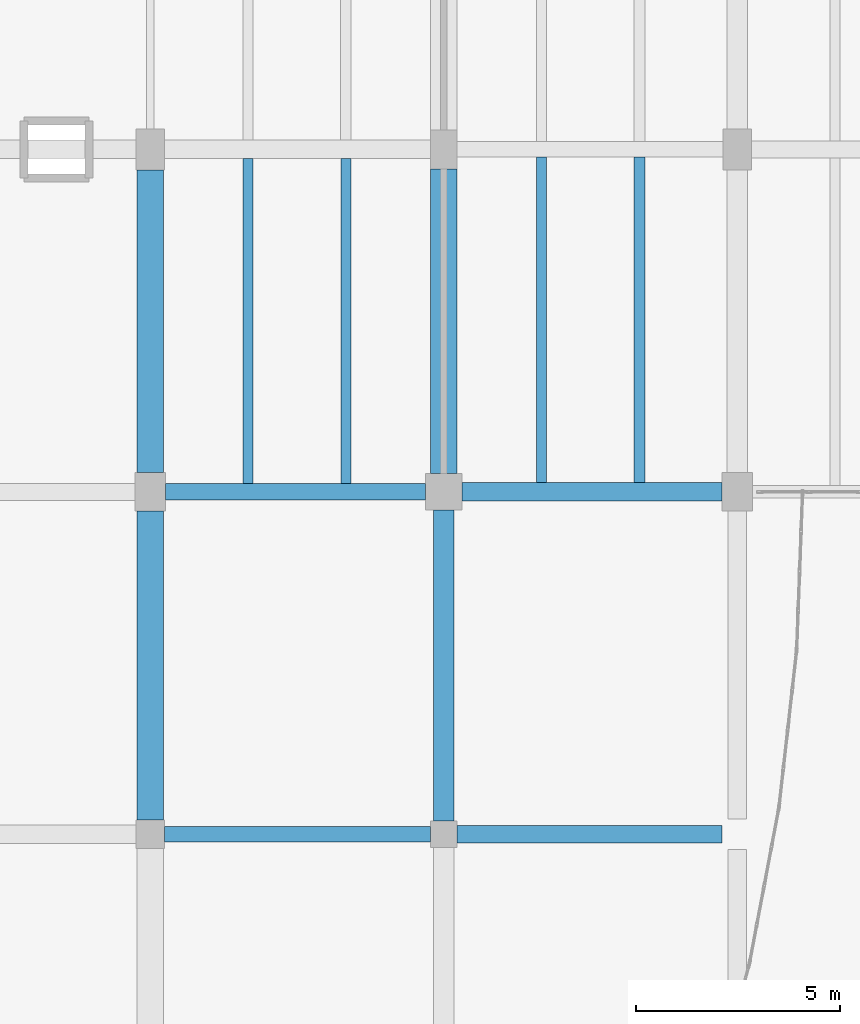
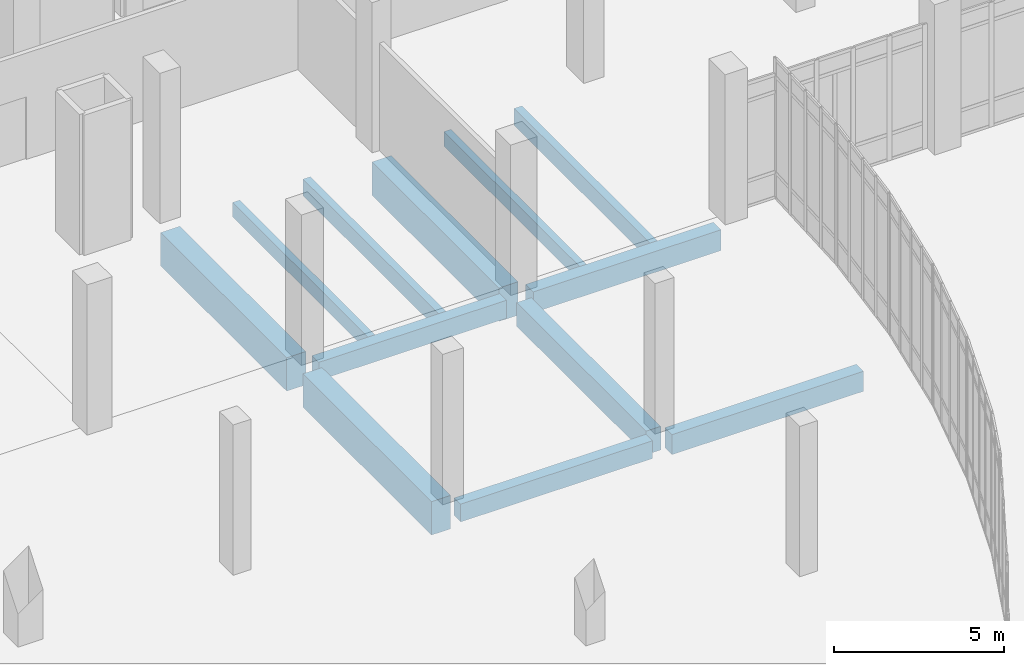
# One storey, part 48 of 110: 12 beams.
"""IFC4 building model written with IfcOpenShell, lengths in metres."""

from ifc_helpers import new_model, si_unit, direction, frame, origin, origin_2d, place, context, subcontext, project, spatial, rectangle, extrude, material, material_profile, profile_set, type_object, element, save


model = new_model("IFC4")

# Units and contexts
model_context = context("Model", 3, precision=1e-05, world=origin(), true_north=direction((0.0, 1.0)))
body_context = subcontext(model_context, "Body", "Model", "MODEL_VIEW")
ifc_project = project(units=[si_unit("LENGTHUNIT", "METRE"), si_unit("AREAUNIT", "SQUARE_METRE"), si_unit("VOLUMEUNIT", "CUBIC_METRE"), si_unit("PLANEANGLEUNIT", "RADIAN"), si_unit("MASSUNIT", "GRAM", prefix="KILO")], contexts=[model_context])

# Site, building, storey
site_placement = place(None, origin())
site = spatial("IfcSite", under=ifc_project, at=site_placement, CompositionType="ELEMENT")
building_placement = place(site_placement, origin())
building = spatial("IfcBuilding", under=site, at=building_placement, Name="Kalluvel Institute of Natural Sciences", CompositionType="ELEMENT")
storey_placement = place(building_placement, origin())
storey = spatial("IfcBuildingStorey", under=building, at=storey_placement, Name="L00", CompositionType="ELEMENT", Elevation=0.0)

# Beams
ifc_material_1 = material(Name="Concrete M40", Category="concrete")
ifc_material_profile_1 = material_profile(ifc_material_1, rectangle(XDim=0.3798828125, YDim=0.639892578125, at=origin_2d()), Name="RCB 380x640")
ifc_profile_set_1 = profile_set([ifc_material_profile_1], Name="Concrete M40")
beam_type_1 = type_object("IfcBeamType", Name="BM-RC380x640", PredefinedType="BEAM", material=ifc_profile_set_1)
beam_1_placement = place(storey_placement, frame((71.949951171875, 94.39990234375, -0.639892578125), z_axis=(1.0, 0.0, 0.0), x_axis=(0.0, 1.0, 0.0)))
element("IfcBeam", 1, at=beam_1_placement, inside=storey, type_object=beam_type_1, Name="L00 girder GIR-L00-EW-X716-Y944", PredefinedType="BEAM", context=body_context, shape_type="SweptSolid", body=[
    extrude(rectangle(XDim=0.3798828125, YDim=0.639892578125, at=origin_2d()), origin(), (0.0, 0.0, 1.0), 6.525146484375),
])
ifc_material_profile_2 = material_profile(ifc_material_1, rectangle(XDim=0.39990234375, YDim=0.64990234375, at=origin_2d()), Name="RCB 400x650")
ifc_profile_set_2 = profile_set([ifc_material_profile_2], Name="Concrete M40")
beam_type_2 = type_object("IfcBeamType", Name="BM-RC400x650", PredefinedType="BEAM", material=ifc_profile_set_2)
beam_2_placement = place(storey_placement, frame((71.97509765625, 102.800048828125, -0.64501953125), z_axis=(1.0, 0.0, 0.0), x_axis=(0.0, 1.0, 0.0)))
element("IfcBeam", 2, at=beam_2_placement, inside=storey, type_object=beam_type_2, Name="L00 girder GIR-L00-EW-X716-Y1028", PredefinedType="BEAM", context=body_context, shape_type="SweptSolid", body=[
    extrude(rectangle(XDim=0.39990234375, YDim=0.64990234375, at=origin_2d()), origin(), (0.0, 0.0, 1.0), 6.375),
])
ifc_material_profile_3 = material_profile(ifc_material_1, rectangle(XDim=0.419921875, YDim=0.719970703125, at=origin_2d()), Name="RCB 420x720")
ifc_profile_set_3 = profile_set([ifc_material_profile_3], Name="Concrete M40")
beam_type_3 = type_object("IfcBeamType", Name="BM-RC420x720", PredefinedType="BEAM", material=ifc_profile_set_3)
beam_3_placement = place(storey_placement, frame((79.125, 94.39990234375, -0.679931640625), z_axis=(1.0, 0.0, 0.0), x_axis=(0.0, 1.0, 0.0)))
element("IfcBeam", 3, at=beam_3_placement, inside=storey, type_object=beam_type_3, Name="L00 girder GIR-L00-EW-X788-Y944", PredefinedType="BEAM", context=body_context, shape_type="SweptSolid", body=[
    extrude(rectangle(XDim=0.419921875, YDim=0.719970703125, at=origin_2d()), origin(), (0.0, 0.0, 1.0), 6.5),
])
ifc_material_profile_4 = material_profile(ifc_material_1, rectangle(XDim=0.449951171875, YDim=0.75, at=origin_2d()), Name="RCB 450x750")
ifc_profile_set_4 = profile_set([ifc_material_profile_4], Name="Concrete M40")
beam_type_4 = type_object("IfcBeamType", Name="BM-RC450x750", PredefinedType="BEAM", material=ifc_profile_set_4)
beam_4_placement = place(storey_placement, frame((79.25, 102.800048828125, -0.695068359375), z_axis=(1.0, 0.0, 0.0), x_axis=(0.0, 1.0, 0.0)))
element("IfcBeam", 4, at=beam_4_placement, inside=storey, type_object=beam_type_4, Name="L00 girder GIR-L00-EW-X788-Y1028", PredefinedType="BEAM", context=body_context, shape_type="SweptSolid", body=[
    extrude(rectangle(XDim=0.449951171875, YDim=0.75, at=origin_2d()), origin(), (0.0, 0.0, 1.0), 6.375),
])
ifc_material_2 = material(Name="Concrete M50", Category="concrete")
ifc_material_profile_5 = material_profile(ifc_material_2, rectangle(XDim=0.5, YDim=0.85009765625, at=origin_2d()), Name="RCB 500x850")
ifc_profile_set_5 = profile_set([ifc_material_profile_5], Name="Concrete M50")
beam_type_5 = type_object("IfcBeamType", Name="BM-RC500x850", PredefinedType="BEAM", material=ifc_profile_set_5)
beam_5_placement = place(storey_placement, frame((78.800048828125, 94.72509765625, -0.7451171875), z_axis=(0.0, 1.0, 0.0), x_axis=(-1.0, 0.0, 0.0)))
element("IfcBeam", 5, at=beam_5_placement, inside=storey, type_object=beam_type_5, Name="L00 girder GIR-L00-NS-X788-Y944", PredefinedType="BEAM", context=body_context, shape_type="SweptSolid", body=[
    extrude(rectangle(XDim=0.5, YDim=0.85009765625, at=origin_2d()), origin(), (0.0, 0.0, 1.0), 7.625),
])
ifc_material_profile_6 = material_profile(ifc_material_2, rectangle(XDim=0.64990234375, YDim=1.199951171875, at=origin_2d()), Name="RCB 650x1200")
ifc_profile_set_6 = profile_set([ifc_material_profile_6], Name="Concrete M50")
beam_type_6 = type_object("IfcBeamType", Name="BM-RC650x1200", PredefinedType="BEAM", material=ifc_profile_set_6)
beam_6_placement = place(storey_placement, frame((71.60009765625, 94.75, -0.919921875), z_axis=(0.0, 1.0, 0.0), x_axis=(-1.0, 0.0, 0.0)))
element("IfcBeam", 6, at=beam_6_placement, inside=storey, type_object=beam_type_6, Name="L00 girder GIR-L00-NS-X716-Y944", PredefinedType="BEAM", context=body_context, shape_type="SweptSolid", body=[
    extrude(rectangle(XDim=0.64990234375, YDim=1.199951171875, at=origin_2d()), origin(), (0.0, 0.0, 1.0), 7.574951171875),
])
beam_7_placement = place(storey_placement, frame((71.60009765625, 103.27490234375, -0.919921875), z_axis=(0.0, 1.0, 0.0), x_axis=(-1.0, 0.0, 0.0)))
element("IfcBeam", 7, at=beam_7_placement, inside=storey, type_object=beam_type_6, Name="L00 girder GIR-L00-NS-X716-Y1028", PredefinedType="BEAM", context=body_context, shape_type="SweptSolid", body=[
    extrude(rectangle(XDim=0.64990234375, YDim=1.199951171875, at=origin_2d()), origin(), (0.0, 0.0, 1.0), 7.425048828125),
])
beam_8_placement = place(storey_placement, frame((78.800048828125, 103.25, -0.919921875), z_axis=(0.0, 1.0, 0.0), x_axis=(-1.0, 0.0, 0.0)))
element("IfcBeam", 8, at=beam_8_placement, inside=storey, type_object=beam_type_6, Name="L00 girder GIR-L00-NS-X788-Y1028", PredefinedType="BEAM", context=body_context, shape_type="SweptSolid", body=[
    extrude(rectangle(XDim=0.64990234375, YDim=1.199951171875, at=origin_2d()), origin(), (0.0, 0.0, 1.0), 7.47509765625),
])
ifc_material_profile_7 = material_profile(ifc_material_1, rectangle(XDim=0.239990234375, YDim=0.52001953125, at=origin_2d()), Name="WAF 240x520")
ifc_profile_set_7 = profile_set([ifc_material_profile_7], Name="Concrete M40")
beam_type_7 = type_object("IfcBeamType", Name="WJ-240x520", PredefinedType="JOIST", material=ifc_profile_set_7)
beam_9_placement = place(storey_placement, frame((74.0, 103.0, -0.580078125), z_axis=(0.0, 1.0, 0.0), x_axis=(-1.0, 0.0, 0.0)))
element("IfcBeam", 9, at=beam_9_placement, inside=storey, type_object=beam_type_7, Name="L00 waffle joist RIB-L00-0041", PredefinedType="JOIST", context=body_context, shape_type="SweptSolid", body=[
    extrude(rectangle(XDim=0.239990234375, YDim=0.52001953125, at=origin_2d()), origin(), (0.0, 0.0, 1.0), 7.97509765625),
])
beam_10_placement = place(storey_placement, frame((81.199951171875, 103.02490234375, -0.580078125), z_axis=(0.0, 1.0, 0.0), x_axis=(-1.0, 0.0, 0.0)))
element("IfcBeam", 10, at=beam_10_placement, inside=storey, type_object=beam_type_7, Name="L00 waffle joist RIB-L00-0046", PredefinedType="JOIST", context=body_context, shape_type="SweptSolid", body=[
    extrude(rectangle(XDim=0.239990234375, YDim=0.52001953125, at=origin_2d()), origin(), (0.0, 0.0, 1.0), 7.985107421875),
])
ifc_material_profile_8 = material_profile(ifc_material_1, rectangle(XDim=0.25, YDim=0.60009765625, at=origin_2d()), Name="WAF 250x600")
ifc_profile_set_8 = profile_set([ifc_material_profile_8], Name="Concrete M40")
beam_type_8 = type_object("IfcBeamType", Name="WJ-250x600", PredefinedType="JOIST", material=ifc_profile_set_8)
beam_11_placement = place(storey_placement, frame((76.39990234375, 103.0, -0.6201171875), z_axis=(0.0, 1.0, 0.0), x_axis=(-1.0, 0.0, 0.0)))
element("IfcBeam", 11, at=beam_11_placement, inside=storey, type_object=beam_type_8, Name="L00 waffle joist RIB-L00-0042", PredefinedType="JOIST", context=body_context, shape_type="SweptSolid", body=[
    extrude(rectangle(XDim=0.25, YDim=0.60009765625, at=origin_2d()), origin(), (0.0, 0.0, 1.0), 7.97509765625),
])
ifc_material_profile_9 = material_profile(ifc_material_2, rectangle(XDim=0.260009765625, YDim=0.6201171875, at=origin_2d()), Name="WAF 260x620")
ifc_profile_set_9 = profile_set([ifc_material_profile_9], Name="Concrete M50")
beam_type_9 = type_object("IfcBeamType", Name="WJ-260x620", PredefinedType="JOIST", material=ifc_profile_set_9)
beam_12_placement = place(storey_placement, frame((83.60009765625, 103.02490234375, -0.6298828125), z_axis=(0.0, 1.0, 0.0), x_axis=(-1.0, 0.0, 0.0)))
element("IfcBeam", 12, at=beam_12_placement, inside=storey, type_object=beam_type_9, Name="L00 waffle joist RIB-L00-0047", PredefinedType="JOIST", context=body_context, shape_type="SweptSolid", body=[
    extrude(rectangle(XDim=0.260009765625, YDim=0.6201171875, at=origin_2d()), origin(), (0.0, 0.0, 1.0), 7.985107421875),
])

save(model, "model.ifc")
